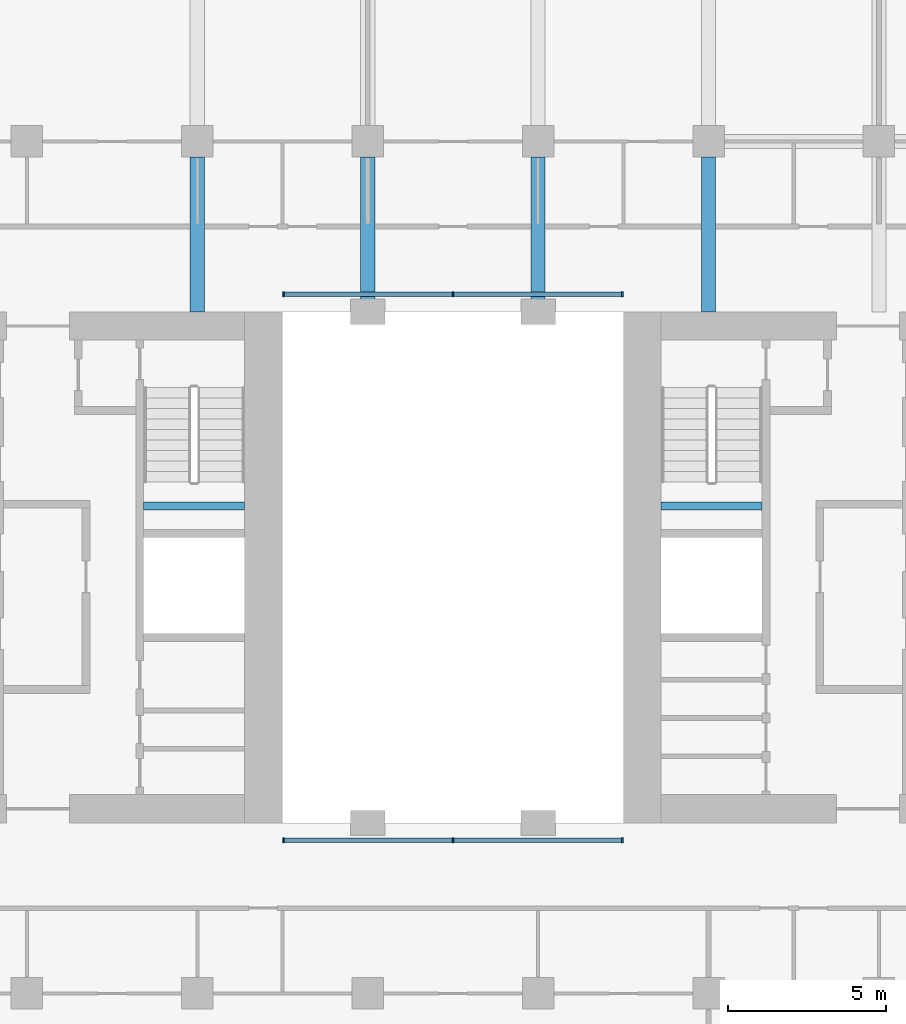
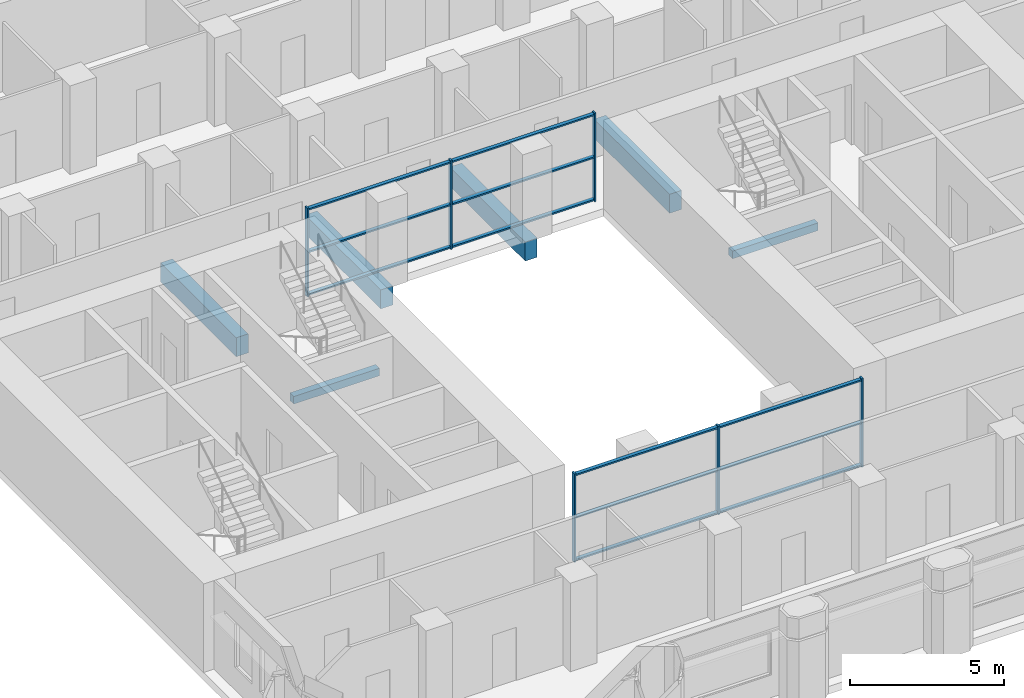
# One storey, part 2 of 11: 18 members, 6 beams, 2 elements without a shape of their own.
"""IFC4 building model written with IfcOpenShell, lengths in metres."""

from ifc_helpers import new_model, si_unit, direction, frame, origin, origin_2d, place, context, subcontext, project, spatial, rectangle, extrude, material, material_profile, profile_set, type_object, element, aggregate, save


model = new_model("IFC4")

# Units and contexts
model_context = context("Model", 3, precision=1e-05, world=origin(), true_north=direction((0.0, 1.0)))
body_context = subcontext(model_context, "Body", "Model", "MODEL_VIEW")
ifc_project = project(units=[si_unit("LENGTHUNIT", "METRE"), si_unit("AREAUNIT", "SQUARE_METRE"), si_unit("VOLUMEUNIT", "CUBIC_METRE"), si_unit("PLANEANGLEUNIT", "RADIAN"), si_unit("MASSUNIT", "GRAM", prefix="KILO")], contexts=[model_context])

# Site, building, storey
site_placement = place(None, origin())
site = spatial("IfcSite", under=ifc_project, at=site_placement, CompositionType="ELEMENT")
building_placement = place(site_placement, origin())
building = spatial("IfcBuilding", under=site, at=building_placement, Name="Tabaq Tower and Sports Hall", CompositionType="ELEMENT")
storey_placement = place(building_placement, frame((0.0, 0.0, 76.39990234375)))
storey = spatial("IfcBuildingStorey", under=building, at=storey_placement, Name="L17", CompositionType="ELEMENT", Elevation=76.39990234375)

# Curtain wall, members
ifc_material_1 = material(Name="Aluminium alloy 6063-T6 framed glazing", Category="aluminium")
curtain_wall_type = type_object("IfcCurtainWallType", Name="CW1 curtain wall", PredefinedType="USERDEFINED", material=ifc_material_1)
curtain_wall_1_placement = place(storey_placement, origin())
curtain_wall_1 = element("IfcCurtainWall", 1, at=curtain_wall_1_placement, inside=storey, type_object=curtain_wall_type, Name="Atrium glazing L17 S", ObjectType="ATRIUM ENCLOSURE", PredefinedType="USERDEFINED")
ifc_material_2 = material(Name="Aluminium alloy 6063-T6", Category="aluminium")
ifc_material_profile_1 = material_profile(ifc_material_2, rectangle(XDim=0.159912109375, YDim=0.06005859375, at=origin_2d()), Name="MULLION 160x60")
ifc_profile_set_1 = profile_set([ifc_material_profile_1], Name="Aluminium alloy 6063-T6")
member_type_1 = type_object("IfcMemberType", Name="CW1 mullion 160x60", PredefinedType="MULLION", material=ifc_profile_set_1)
member_1_placement = place(storey_placement, frame((18.929931640625, 15.64990234375, 0.0), z_axis=(0.0, 0.0, 1.0), x_axis=(0.0, 1.0, 0.0)))
member_1 = element("IfcMember", 2, at=member_1_placement, type_object=member_type_1, Name="CW1 mullion 1", PredefinedType="MULLION", context=body_context, shape_type="SweptSolid", body=[
    extrude(rectangle(XDim=0.159912109375, YDim=0.06005859375, at=origin_2d()), origin(), (0.0, 0.0, 1.0), 3.5),
])
member_2_placement = place(storey_placement, frame((24.300048828125, 15.64990234375, 0.0), z_axis=(0.0, 0.0, 1.0), x_axis=(0.0, 1.0, 0.0)))
member_2 = element("IfcMember", 3, at=member_2_placement, type_object=member_type_1, Name="CW1 mullion 2", PredefinedType="MULLION", context=body_context, shape_type="SweptSolid", body=[
    extrude(rectangle(XDim=0.159912109375, YDim=0.06005859375, at=origin_2d()), origin(), (0.0, 0.0, 1.0), 3.5),
])
member_3_placement = place(storey_placement, frame((29.669921875, 15.64990234375, 0.0), z_axis=(0.0, 0.0, 1.0), x_axis=(0.0, 1.0, 0.0)))
member_3 = element("IfcMember", 4, at=member_3_placement, type_object=member_type_1, Name="CW1 mullion 3", PredefinedType="MULLION", context=body_context, shape_type="SweptSolid", body=[
    extrude(rectangle(XDim=0.159912109375, YDim=0.06005859375, at=origin_2d()), origin(), (0.0, 0.0, 1.0), 3.5),
])

curtain_wall_2_placement = place(storey_placement, origin())
curtain_wall_2 = element("IfcCurtainWall", 5, at=curtain_wall_2_placement, inside=storey, type_object=curtain_wall_type, Name="Atrium glazing L17 N", ObjectType="ATRIUM ENCLOSURE", PredefinedType="USERDEFINED")
member_4_placement = place(storey_placement, frame((18.929931640625, 32.949951171875, 0.0), z_axis=(0.0, 0.0, 1.0), x_axis=(0.0, 1.0, 0.0)))
member_4 = element("IfcMember", 6, at=member_4_placement, type_object=member_type_1, Name="CW1 mullion 1", PredefinedType="MULLION", context=body_context, shape_type="SweptSolid", body=[
    extrude(rectangle(XDim=0.159912109375, YDim=0.06005859375, at=origin_2d()), origin(), (0.0, 0.0, 1.0), 3.5),
])
member_5_placement = place(storey_placement, frame((24.300048828125, 32.949951171875, 0.0), z_axis=(0.0, 0.0, 1.0), x_axis=(0.0, 1.0, 0.0)))
member_5 = element("IfcMember", 7, at=member_5_placement, type_object=member_type_1, Name="CW1 mullion 2", PredefinedType="MULLION", context=body_context, shape_type="SweptSolid", body=[
    extrude(rectangle(XDim=0.159912109375, YDim=0.06005859375, at=origin_2d()), origin(), (0.0, 0.0, 1.0), 3.5),
])
member_6_placement = place(storey_placement, frame((29.669921875, 32.949951171875, 0.0), z_axis=(0.0, 0.0, 1.0), x_axis=(0.0, 1.0, 0.0)))
member_6 = element("IfcMember", 8, at=member_6_placement, type_object=member_type_1, Name="CW1 mullion 3", PredefinedType="MULLION", context=body_context, shape_type="SweptSolid", body=[
    extrude(rectangle(XDim=0.159912109375, YDim=0.06005859375, at=origin_2d()), origin(), (0.0, 0.0, 1.0), 3.5),
])

# Member
ifc_material_3 = material(Name="Aluminium alloy 6063-T6", Category="aluminium")
ifc_material_profile_2 = material_profile(ifc_material_3, rectangle(XDim=0.139892578125, YDim=0.06005859375, at=origin_2d()), Name="TRANSOM 140x60")
ifc_profile_set_2 = profile_set([ifc_material_profile_2], Name="Aluminium alloy 6063-T6")
member_type_2 = type_object("IfcMemberType", Name="CW1 transom 140x60", PredefinedType="USERDEFINED", material=ifc_profile_set_2)
member_7_placement = place(storey_placement, frame((18.9599609375, 15.64990234375, 0.070068359375), z_axis=(1.0, 0.0, 0.0), x_axis=(0.0, 1.0, 0.0)))
member_7 = element("IfcMember", 9, at=member_7_placement, type_object=member_type_2, Name="CW1 transom 1.1", ObjectType="TRANSOM", PredefinedType="USERDEFINED", context=body_context, shape_type="SweptSolid", body=[
    extrude(rectangle(XDim=0.139892578125, YDim=0.06005859375, at=origin_2d()), origin(), (0.0, 0.0, 1.0), 5.31005859375),
])

member_8_placement = place(storey_placement, frame((18.9599609375, 15.64990234375, 1.75), z_axis=(1.0, 0.0, 0.0), x_axis=(0.0, 1.0, 0.0)))
member_8 = element("IfcMember", 10, at=member_8_placement, type_object=member_type_2, Name="CW1 transom 1.2", ObjectType="TRANSOM", PredefinedType="USERDEFINED", context=body_context, shape_type="SweptSolid", body=[
    extrude(rectangle(XDim=0.139892578125, YDim=0.06005859375, at=origin_2d()), origin(), (0.0, 0.0, 1.0), 5.31005859375),
])

member_9_placement = place(storey_placement, frame((18.9599609375, 15.64990234375, 3.43017578125), z_axis=(1.0, 0.0, 0.0), x_axis=(0.0, 1.0, 0.0)))
member_9 = element("IfcMember", 11, at=member_9_placement, type_object=member_type_2, Name="CW1 transom 1.3", ObjectType="TRANSOM", PredefinedType="USERDEFINED", context=body_context, shape_type="SweptSolid", body=[
    extrude(rectangle(XDim=0.139892578125, YDim=0.06005859375, at=origin_2d()), origin(), (0.0, 0.0, 1.0), 5.31005859375),
])

member_10_placement = place(storey_placement, frame((24.330078125, 15.64990234375, 0.070068359375), z_axis=(1.0, 0.0, 0.0), x_axis=(0.0, 1.0, 0.0)))
member_10 = element("IfcMember", 12, at=member_10_placement, type_object=member_type_2, Name="CW1 transom 2.1", ObjectType="TRANSOM", PredefinedType="USERDEFINED", context=body_context, shape_type="SweptSolid", body=[
    extrude(rectangle(XDim=0.139892578125, YDim=0.06005859375, at=origin_2d()), origin(), (0.0, 0.0, 1.0), 5.309814453125),
])

member_11_placement = place(storey_placement, frame((24.330078125, 15.64990234375, 1.75), z_axis=(1.0, 0.0, 0.0), x_axis=(0.0, 1.0, 0.0)))
member_11 = element("IfcMember", 13, at=member_11_placement, type_object=member_type_2, Name="CW1 transom 2.2", ObjectType="TRANSOM", PredefinedType="USERDEFINED", context=body_context, shape_type="SweptSolid", body=[
    extrude(rectangle(XDim=0.139892578125, YDim=0.06005859375, at=origin_2d()), origin(), (0.0, 0.0, 1.0), 5.309814453125),
])

member_12_placement = place(storey_placement, frame((24.330078125, 15.64990234375, 3.43017578125), z_axis=(1.0, 0.0, 0.0), x_axis=(0.0, 1.0, 0.0)))
member_12 = element("IfcMember", 14, at=member_12_placement, type_object=member_type_2, Name="CW1 transom 2.3", ObjectType="TRANSOM", PredefinedType="USERDEFINED", context=body_context, shape_type="SweptSolid", body=[
    extrude(rectangle(XDim=0.139892578125, YDim=0.06005859375, at=origin_2d()), origin(), (0.0, 0.0, 1.0), 5.309814453125),
])

aggregate(curtain_wall_1, [member_1, member_2, member_3, member_7, member_8, member_9, member_10, member_11, member_12])

member_13_placement = place(storey_placement, frame((18.9599609375, 32.949951171875, 0.070068359375), z_axis=(1.0, 0.0, 0.0), x_axis=(0.0, 1.0, 0.0)))
member_13 = element("IfcMember", 15, at=member_13_placement, type_object=member_type_2, Name="CW1 transom 1.1", ObjectType="TRANSOM", PredefinedType="USERDEFINED", context=body_context, shape_type="SweptSolid", body=[
    extrude(rectangle(XDim=0.139892578125, YDim=0.06005859375, at=origin_2d()), origin(), (0.0, 0.0, 1.0), 5.31005859375),
])

member_14_placement = place(storey_placement, frame((18.9599609375, 32.949951171875, 1.75), z_axis=(1.0, 0.0, 0.0), x_axis=(0.0, 1.0, 0.0)))
member_14 = element("IfcMember", 16, at=member_14_placement, type_object=member_type_2, Name="CW1 transom 1.2", ObjectType="TRANSOM", PredefinedType="USERDEFINED", context=body_context, shape_type="SweptSolid", body=[
    extrude(rectangle(XDim=0.139892578125, YDim=0.06005859375, at=origin_2d()), origin(), (0.0, 0.0, 1.0), 5.31005859375),
])

member_15_placement = place(storey_placement, frame((18.9599609375, 32.949951171875, 3.43017578125), z_axis=(1.0, 0.0, 0.0), x_axis=(0.0, 1.0, 0.0)))
member_15 = element("IfcMember", 17, at=member_15_placement, type_object=member_type_2, Name="CW1 transom 1.3", ObjectType="TRANSOM", PredefinedType="USERDEFINED", context=body_context, shape_type="SweptSolid", body=[
    extrude(rectangle(XDim=0.139892578125, YDim=0.06005859375, at=origin_2d()), origin(), (0.0, 0.0, 1.0), 5.31005859375),
])

member_16_placement = place(storey_placement, frame((24.330078125, 32.949951171875, 0.070068359375), z_axis=(1.0, 0.0, 0.0), x_axis=(0.0, 1.0, 0.0)))
member_16 = element("IfcMember", 18, at=member_16_placement, type_object=member_type_2, Name="CW1 transom 2.1", ObjectType="TRANSOM", PredefinedType="USERDEFINED", context=body_context, shape_type="SweptSolid", body=[
    extrude(rectangle(XDim=0.139892578125, YDim=0.06005859375, at=origin_2d()), origin(), (0.0, 0.0, 1.0), 5.309814453125),
])

member_17_placement = place(storey_placement, frame((24.330078125, 32.949951171875, 1.75), z_axis=(1.0, 0.0, 0.0), x_axis=(0.0, 1.0, 0.0)))
member_17 = element("IfcMember", 19, at=member_17_placement, type_object=member_type_2, Name="CW1 transom 2.2", ObjectType="TRANSOM", PredefinedType="USERDEFINED", context=body_context, shape_type="SweptSolid", body=[
    extrude(rectangle(XDim=0.139892578125, YDim=0.06005859375, at=origin_2d()), origin(), (0.0, 0.0, 1.0), 5.309814453125),
])

member_18_placement = place(storey_placement, frame((24.330078125, 32.949951171875, 3.43017578125), z_axis=(1.0, 0.0, 0.0), x_axis=(0.0, 1.0, 0.0)))
member_18 = element("IfcMember", 20, at=member_18_placement, type_object=member_type_2, Name="CW1 transom 2.3", ObjectType="TRANSOM", PredefinedType="USERDEFINED", context=body_context, shape_type="SweptSolid", body=[
    extrude(rectangle(XDim=0.139892578125, YDim=0.06005859375, at=origin_2d()), origin(), (0.0, 0.0, 1.0), 5.309814453125),
])

aggregate(curtain_wall_2, [member_4, member_5, member_6, member_13, member_14, member_15, member_16, member_17, member_18])

# Beams
ifc_material_4 = material(Name="Concrete C40/50", Category="concrete")
ifc_material_profile_3 = material_profile(ifc_material_4, rectangle(XDim=0.449951171875, YDim=0.75, at=origin_2d()), Name="CB 450x750")
ifc_profile_set_3 = profile_set([ifc_material_profile_3], Name="Concrete C40/50")
beam_type_1 = type_object("IfcBeamType", Name="PT CANTILEVER BEAM CB 450x750 C40/50", PredefinedType="BEAM", material=ifc_profile_set_3)
for number, where, z_axis, x_axis, name in (
    (21, (16.199951171875, 37.300048828125, -0.6748046875), (0.0, -1.0, 0.0), (1.0, 0.0, 0.0), "Cantilever Beam L17 N3 span 3"),
    (22, (21.60009765625, 37.300048828125, -0.6748046875), (0.0, -1.0, 0.0), (1.0, 0.0, 0.0), "Cantilever Beam L17 N4 span 3"),
    (23, (27.0, 37.300048828125, -0.6748046875), (0.0, -1.0, 0.0), (1.0, 0.0, 0.0), "Cantilever Beam L17 N5 span 3"),
    (24, (32.39990234375, 37.300048828125, -0.6748046875), (0.0, -1.0, 0.0), (1.0, 0.0, 0.0), "Cantilever Beam L17 N6 span 3"),
):
    element("IfcBeam", number, at=place(storey_placement, frame(where, z_axis=z_axis, x_axis=x_axis)), inside=storey, type_object=beam_type_1, Name=name, PredefinedType="BEAM", context=body_context, shape_type="SweptSolid", body=[
        extrude(rectangle(XDim=0.449951171875, YDim=0.75, at=origin_2d()), origin(), (0.0, 0.0, 1.0), 4.900146484375),
    ])
ifc_material_5 = material(Name="Concrete C40/50", Category="concrete")
ifc_material_profile_4 = material_profile(ifc_material_5, rectangle(XDim=0.25, YDim=0.300048828125, at=origin_2d()), Name="RC 250x300")
ifc_profile_set_4 = profile_set([ifc_material_profile_4], Name="Concrete C40/50")
beam_type_2 = type_object("IfcBeamType", Name="Stair landing beam 250x300", PredefinedType="BEAM", material=ifc_profile_set_4)
beam_1_placement = place(storey_placement, frame((14.5, 26.25, 1.550048828125), z_axis=(1.0, 0.0, 0.0), x_axis=(0.0, 1.0, 0.0)))
element("IfcBeam", 25, at=beam_1_placement, inside=storey, type_object=beam_type_2, Name="L17 ST2 landing beam 1", PredefinedType="BEAM", context=body_context, shape_type="SweptSolid", body=[
    extrude(rectangle(XDim=0.25, YDim=0.300048828125, at=origin_2d()), origin(), (0.0, 0.0, 1.0), 3.199951171875),
])
beam_2_placement = place(storey_placement, frame((30.89990234375, 26.25, 1.550048828125), z_axis=(1.0, 0.0, 0.0), x_axis=(0.0, 1.0, 0.0)))
element("IfcBeam", 26, at=beam_2_placement, inside=storey, type_object=beam_type_2, Name="L17 ST4 landing beam 1", PredefinedType="BEAM", context=body_context, shape_type="SweptSolid", body=[
    extrude(rectangle(XDim=0.25, YDim=0.300048828125, at=origin_2d()), origin(), (0.0, 0.0, 1.0), 3.2001953125),
])

save(model, "model.ifc")
